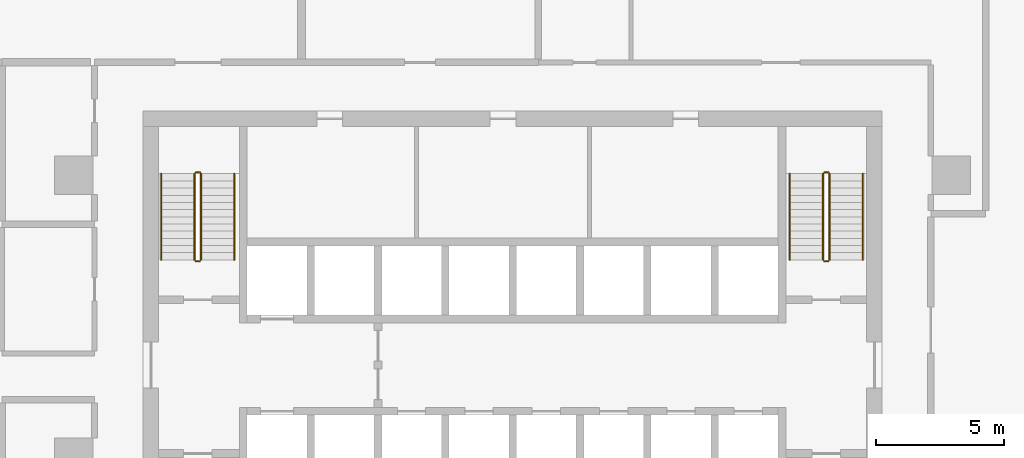
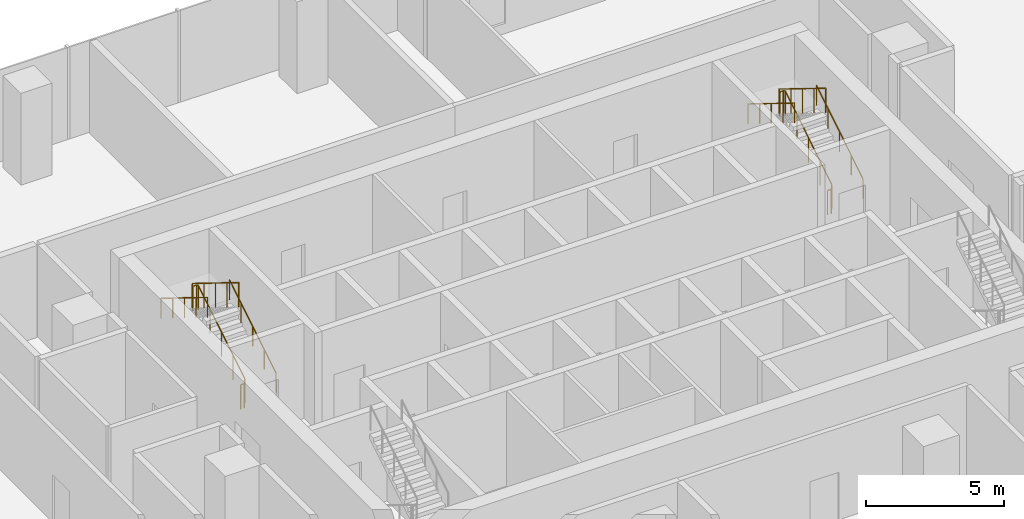
# One storey, part 14 of 15: 10 railings.
"""IFC4 building model written with IfcOpenShell, lengths in metres."""

from ifc_helpers import new_model, si_unit, direction, frame, origin, origin_2d, place, context, subcontext, project, spatial, circle, extrude, material, type_object, element, save


model = new_model("IFC4")

# Units and contexts
model_context = context("Model", 3, precision=1e-05, world=origin(), true_north=direction((0.0, 1.0)))
body_context = subcontext(model_context, "Body", "Model", "MODEL_VIEW")
ifc_project = project(units=[si_unit("LENGTHUNIT", "METRE"), si_unit("AREAUNIT", "SQUARE_METRE"), si_unit("VOLUMEUNIT", "CUBIC_METRE"), si_unit("PLANEANGLEUNIT", "RADIAN"), si_unit("MASSUNIT", "GRAM", prefix="KILO")], contexts=[model_context])

# Site, building, storey
site_placement = place(None, origin())
site = spatial("IfcSite", under=ifc_project, at=site_placement, CompositionType="ELEMENT")
building_placement = place(site_placement, origin())
building = spatial("IfcBuilding", under=site, at=building_placement, Name="Mopane Tessera Tower", CompositionType="ELEMENT")
storey_placement = place(building_placement, frame((0.0, 0.0, 99.10009765625)))
storey = spatial("IfcBuildingStorey", under=building, at=storey_placement, Name="L19", CompositionType="ELEMENT", Elevation=99.10009765625)

# Railings
ifc_material_1 = material(Name="Powder-coated steel balustrade", Category="steel")
railing_type_1 = type_object("IfcRailingType", Name="Escape stair guard 1100 mm", PredefinedType="GUARDRAIL", material=ifc_material_1)
railing_1_placement = place(storey_placement, frame((-12.14990234375, 7.699951171875, 0.173095703125)))
element("IfcRailing", 1, at=railing_1_placement, inside=storey, type_object=railing_type_1, Name="L19 ST2 stair guard 1", PredefinedType="GUARDRAIL", context=body_context, shape_type="SweptSolid", body=[
    extrude(circle(Radius=0.02392578125, at=origin_2d()), frame((0.0, 0.0, 1.076171875), z_axis=(0.0, 0.850623216509, 0.525775754039), x_axis=(-1.0, 0.0, 0.0)), (0.0, 0.0, 1.0), 3.9501953125),
    extrude(circle(Radius=0.02392578125, at=origin_2d()), frame((0.0, 3.360107421875, 3.15283203125), z_axis=(-0.707106781187, 0.707106781187, 0.0), x_axis=(-0.707106781187, -0.707106781187, 0.0)), (0.0, 0.0, 1.0), 0.07080078125),
    extrude(circle(Radius=0.02392578125, at=origin_2d()), frame((-0.050048828125, 3.41015625, 3.15283203125), z_axis=(-1.0, 0.0, 0.0), x_axis=(0.0, -1.0, 0.0)), (0.0, 0.0, 1.0), 0.150146484375),
    extrude(circle(Radius=0.02099609375, at=origin_2d()), origin(), (0.0, 0.0, 1.0), 1.052001953125),
    extrude(circle(Radius=0.02099609375, at=origin_2d()), frame((0.0, 0.840087890625, 0.519287109375)), (0.0, 0.0, 1.0), 1.052001953125),
    extrude(circle(Radius=0.02099609375, at=origin_2d()), frame((0.0, 1.68017578125, 1.03857421875)), (0.0, 0.0, 1.0), 1.052001953125),
    extrude(circle(Radius=0.02099609375, at=origin_2d()), frame((0.0, 2.52001953125, 1.5576171875)), (0.0, 0.0, 1.0), 1.052001953125),
    extrude(circle(Radius=0.02099609375, at=origin_2d()), frame((0.0, 3.360107421875, 2.076904296875)), (0.0, 0.0, 1.0), 1.052001953125),
    extrude(circle(Radius=0.02099609375, at=origin_2d()), frame((-0.050048828125, 3.41015625, 2.076904296875)), (0.0, 0.0, 1.0), 1.052001953125),
    extrude(circle(Radius=0.02099609375, at=origin_2d()), frame((-0.2001953125, 3.41015625, 2.076904296875)), (0.0, 0.0, 1.0), 1.052001953125),
])
railing_2_placement = place(storey_placement, frame((-12.39990234375, 11.06005859375, 2.423095703125)))
element("IfcRailing", 2, at=railing_2_placement, inside=storey, type_object=railing_type_1, Name="L19 ST2 stair guard 2", PredefinedType="GUARDRAIL", context=body_context, shape_type="SweptSolid", body=[
    extrude(circle(Radius=0.02392578125, at=origin_2d()), frame((0.0, 0.0, 1.076171875), z_axis=(0.0, -0.850623216509, 0.525775754039), x_axis=(1.0, 0.0, 0.0)), (0.0, 0.0, 1.0), 3.9501953125),
    extrude(circle(Radius=0.02099609375, at=origin_2d()), origin(), (0.0, 0.0, 1.0), 1.052001953125),
    extrude(circle(Radius=0.02099609375, at=origin_2d()), frame((0.0, -0.840087890625, 0.519287109375)), (0.0, 0.0, 1.0), 1.052001953125),
    extrude(circle(Radius=0.02099609375, at=origin_2d()), frame((0.0, -1.68017578125, 1.03857421875)), (0.0, 0.0, 1.0), 1.052001953125),
    extrude(circle(Radius=0.02099609375, at=origin_2d()), frame((0.0, -2.52001953125, 1.5576171875)), (0.0, 0.0, 1.0), 1.052001953125),
    extrude(circle(Radius=0.02099609375, at=origin_2d()), frame((0.0, -3.360107421875, 2.076904296875)), (0.0, 0.0, 1.0), 1.052001953125),
])
railing_3_placement = place(storey_placement, frame((-12.199951171875, 7.64990234375, 0.0)))
element("IfcRailing", 3, at=railing_3_placement, inside=storey, type_object=railing_type_1, Name="L19 ST2 stair guard 3", PredefinedType="GUARDRAIL", context=body_context, shape_type="SweptSolid", body=[
    extrude(circle(Radius=0.02392578125, at=origin_2d()), frame((0.0, 0.0, 1.076171875), z_axis=(-1.0, 0.0, 0.0), x_axis=(0.0, -1.0, 0.0)), (0.0, 0.0, 1.0), 0.150146484375),
    extrude(circle(Radius=0.02099609375, at=origin_2d()), origin(), (0.0, 0.0, 1.0), 1.052001953125),
    extrude(circle(Radius=0.02099609375, at=origin_2d()), frame((-0.150146484375, 0.0, 0.0)), (0.0, 0.0, 1.0), 1.052001953125),
])
railing_4_placement = place(storey_placement, frame((12.35009765625, 7.699951171875, 0.173095703125)))
element("IfcRailing", 4, at=railing_4_placement, inside=storey, type_object=railing_type_1, Name="L19 ST4 stair guard 1", PredefinedType="GUARDRAIL", context=body_context, shape_type="SweptSolid", body=[
    extrude(circle(Radius=0.02392578125, at=origin_2d()), frame((0.0, 0.0, 1.076171875), z_axis=(0.0, 0.850623216509, 0.525775754039), x_axis=(-1.0, 0.0, 0.0)), (0.0, 0.0, 1.0), 3.9501953125),
    extrude(circle(Radius=0.02392578125, at=origin_2d()), frame((0.0, 3.360107421875, 3.15283203125), z_axis=(-0.707106781187, 0.707106781187, 0.0), x_axis=(-0.707106781187, -0.707106781187, 0.0)), (0.0, 0.0, 1.0), 0.07080078125),
    extrude(circle(Radius=0.02392578125, at=origin_2d()), frame((-0.050048828125, 3.41015625, 3.15283203125), z_axis=(-1.0, 0.0, 0.0), x_axis=(0.0, -1.0, 0.0)), (0.0, 0.0, 1.0), 0.150146484375),
    extrude(circle(Radius=0.02099609375, at=origin_2d()), origin(), (0.0, 0.0, 1.0), 1.052001953125),
    extrude(circle(Radius=0.02099609375, at=origin_2d()), frame((0.0, 0.840087890625, 0.519287109375)), (0.0, 0.0, 1.0), 1.052001953125),
    extrude(circle(Radius=0.02099609375, at=origin_2d()), frame((0.0, 1.68017578125, 1.03857421875)), (0.0, 0.0, 1.0), 1.052001953125),
    extrude(circle(Radius=0.02099609375, at=origin_2d()), frame((0.0, 2.52001953125, 1.5576171875)), (0.0, 0.0, 1.0), 1.052001953125),
    extrude(circle(Radius=0.02099609375, at=origin_2d()), frame((0.0, 3.360107421875, 2.076904296875)), (0.0, 0.0, 1.0), 1.052001953125),
    extrude(circle(Radius=0.02099609375, at=origin_2d()), frame((-0.050048828125, 3.41015625, 2.076904296875)), (0.0, 0.0, 1.0), 1.052001953125),
    extrude(circle(Radius=0.02099609375, at=origin_2d()), frame((-0.2001953125, 3.41015625, 2.076904296875)), (0.0, 0.0, 1.0), 1.052001953125),
])
railing_5_placement = place(storey_placement, frame((12.10009765625, 11.06005859375, 2.423095703125)))
element("IfcRailing", 5, at=railing_5_placement, inside=storey, type_object=railing_type_1, Name="L19 ST4 stair guard 2", PredefinedType="GUARDRAIL", context=body_context, shape_type="SweptSolid", body=[
    extrude(circle(Radius=0.02392578125, at=origin_2d()), frame((0.0, 0.0, 1.076171875), z_axis=(0.0, -0.850623216509, 0.525775754039), x_axis=(1.0, 0.0, 0.0)), (0.0, 0.0, 1.0), 3.9501953125),
    extrude(circle(Radius=0.02099609375, at=origin_2d()), origin(), (0.0, 0.0, 1.0), 1.052001953125),
    extrude(circle(Radius=0.02099609375, at=origin_2d()), frame((0.0, -0.840087890625, 0.519287109375)), (0.0, 0.0, 1.0), 1.052001953125),
    extrude(circle(Radius=0.02099609375, at=origin_2d()), frame((0.0, -1.68017578125, 1.03857421875)), (0.0, 0.0, 1.0), 1.052001953125),
    extrude(circle(Radius=0.02099609375, at=origin_2d()), frame((0.0, -2.52001953125, 1.5576171875)), (0.0, 0.0, 1.0), 1.052001953125),
    extrude(circle(Radius=0.02099609375, at=origin_2d()), frame((0.0, -3.360107421875, 2.076904296875)), (0.0, 0.0, 1.0), 1.052001953125),
])
railing_6_placement = place(storey_placement, frame((12.300048828125, 7.64990234375, 0.0)))
element("IfcRailing", 6, at=railing_6_placement, inside=storey, type_object=railing_type_1, Name="L19 ST4 stair guard 3", PredefinedType="GUARDRAIL", context=body_context, shape_type="SweptSolid", body=[
    extrude(circle(Radius=0.02392578125, at=origin_2d()), frame((0.0, 0.0, 1.076171875), z_axis=(-1.0, 0.0, 0.0), x_axis=(0.0, -1.0, 0.0)), (0.0, 0.0, 1.0), 0.150146484375),
    extrude(circle(Radius=0.02099609375, at=origin_2d()), origin(), (0.0, 0.0, 1.0), 1.052001953125),
    extrude(circle(Radius=0.02099609375, at=origin_2d()), frame((-0.150146484375, 0.0, 0.0)), (0.0, 0.0, 1.0), 1.052001953125),
])
ifc_material_2 = material(Name="Powder-coated steel balustrade", Category="steel")
railing_type_2 = type_object("IfcRailingType", Name="Escape stair handrail 900 mm", PredefinedType="HANDRAIL", material=ifc_material_2)
railing_7_placement = place(storey_placement, frame((-10.85009765625, 7.699951171875, 0.173095703125)))
element("IfcRailing", 7, at=railing_7_placement, inside=storey, type_object=railing_type_2, Name="L19 ST2 stair handrail 1", PredefinedType="HANDRAIL", context=body_context, shape_type="SweptSolid", body=[
    extrude(circle(Radius=0.02392578125, at=origin_2d()), frame((0.0, 0.0, 0.8759765625), z_axis=(0.0, 0.850623216509, 0.525775754039), x_axis=(-1.0, 0.0, 0.0)), (0.0, 0.0, 1.0), 3.9501953125),
    extrude(circle(Radius=0.02099609375, at=origin_2d()), origin(), (0.0, 0.0, 1.0), 0.851806640625),
    extrude(circle(Radius=0.02099609375, at=origin_2d()), frame((0.0, 0.840087890625, 0.519287109375)), (0.0, 0.0, 1.0), 0.851806640625),
    extrude(circle(Radius=0.02099609375, at=origin_2d()), frame((0.0, 1.68017578125, 1.03857421875)), (0.0, 0.0, 1.0), 0.851806640625),
    extrude(circle(Radius=0.02099609375, at=origin_2d()), frame((0.0, 2.52001953125, 1.5576171875)), (0.0, 0.0, 1.0), 0.851806640625),
    extrude(circle(Radius=0.02099609375, at=origin_2d()), frame((0.0, 3.360107421875, 2.076904296875)), (0.0, 0.0, 1.0), 0.851806640625),
])
railing_8_placement = place(storey_placement, frame((-13.699951171875, 11.06005859375, 2.423095703125)))
element("IfcRailing", 8, at=railing_8_placement, inside=storey, type_object=railing_type_2, Name="L19 ST2 stair handrail 2", PredefinedType="HANDRAIL", context=body_context, shape_type="SweptSolid", body=[
    extrude(circle(Radius=0.02392578125, at=origin_2d()), frame((0.0, 0.0, 0.8759765625), z_axis=(0.0, -0.850623216509, 0.525775754039), x_axis=(1.0, 0.0, 0.0)), (0.0, 0.0, 1.0), 3.9501953125),
    extrude(circle(Radius=0.02099609375, at=origin_2d()), origin(), (0.0, 0.0, 1.0), 0.851806640625),
    extrude(circle(Radius=0.02099609375, at=origin_2d()), frame((0.0, -0.840087890625, 0.519287109375)), (0.0, 0.0, 1.0), 0.851806640625),
    extrude(circle(Radius=0.02099609375, at=origin_2d()), frame((0.0, -1.68017578125, 1.03857421875)), (0.0, 0.0, 1.0), 0.851806640625),
    extrude(circle(Radius=0.02099609375, at=origin_2d()), frame((0.0, -2.52001953125, 1.5576171875)), (0.0, 0.0, 1.0), 0.851806640625),
    extrude(circle(Radius=0.02099609375, at=origin_2d()), frame((0.0, -3.360107421875, 2.076904296875)), (0.0, 0.0, 1.0), 0.851806640625),
])
railing_9_placement = place(storey_placement, frame((13.64990234375, 7.699951171875, 0.173095703125)))
element("IfcRailing", 9, at=railing_9_placement, inside=storey, type_object=railing_type_2, Name="L19 ST4 stair handrail 1", PredefinedType="HANDRAIL", context=body_context, shape_type="SweptSolid", body=[
    extrude(circle(Radius=0.02392578125, at=origin_2d()), frame((0.0, 0.0, 0.8759765625), z_axis=(0.0, 0.850623216509, 0.525775754039), x_axis=(-1.0, 0.0, 0.0)), (0.0, 0.0, 1.0), 3.9501953125),
    extrude(circle(Radius=0.02099609375, at=origin_2d()), origin(), (0.0, 0.0, 1.0), 0.851806640625),
    extrude(circle(Radius=0.02099609375, at=origin_2d()), frame((0.0, 0.840087890625, 0.519287109375)), (0.0, 0.0, 1.0), 0.851806640625),
    extrude(circle(Radius=0.02099609375, at=origin_2d()), frame((0.0, 1.68017578125, 1.03857421875)), (0.0, 0.0, 1.0), 0.851806640625),
    extrude(circle(Radius=0.02099609375, at=origin_2d()), frame((0.0, 2.52001953125, 1.5576171875)), (0.0, 0.0, 1.0), 0.851806640625),
    extrude(circle(Radius=0.02099609375, at=origin_2d()), frame((0.0, 3.360107421875, 2.076904296875)), (0.0, 0.0, 1.0), 0.851806640625),
])
railing_10_placement = place(storey_placement, frame((10.800048828125, 11.06005859375, 2.423095703125)))
element("IfcRailing", 10, at=railing_10_placement, inside=storey, type_object=railing_type_2, Name="L19 ST4 stair handrail 2", PredefinedType="HANDRAIL", context=body_context, shape_type="SweptSolid", body=[
    extrude(circle(Radius=0.02392578125, at=origin_2d()), frame((0.0, 0.0, 0.8759765625), z_axis=(0.0, -0.850623216509, 0.525775754039), x_axis=(1.0, 0.0, 0.0)), (0.0, 0.0, 1.0), 3.9501953125),
    extrude(circle(Radius=0.02099609375, at=origin_2d()), origin(), (0.0, 0.0, 1.0), 0.851806640625),
    extrude(circle(Radius=0.02099609375, at=origin_2d()), frame((0.0, -0.840087890625, 0.519287109375)), (0.0, 0.0, 1.0), 0.851806640625),
    extrude(circle(Radius=0.02099609375, at=origin_2d()), frame((0.0, -1.68017578125, 1.03857421875)), (0.0, 0.0, 1.0), 0.851806640625),
    extrude(circle(Radius=0.02099609375, at=origin_2d()), frame((0.0, -2.52001953125, 1.5576171875)), (0.0, 0.0, 1.0), 0.851806640625),
    extrude(circle(Radius=0.02099609375, at=origin_2d()), frame((0.0, -3.360107421875, 2.076904296875)), (0.0, 0.0, 1.0), 0.851806640625),
])

save(model, "model.ifc")
